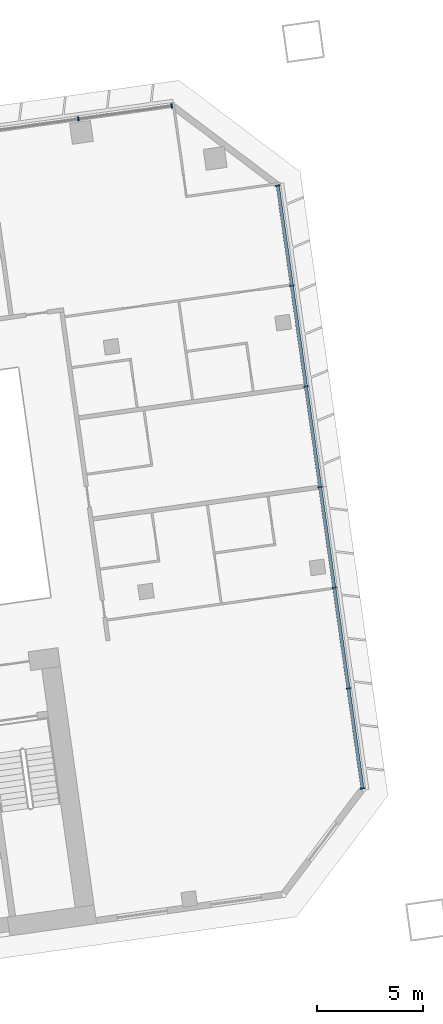
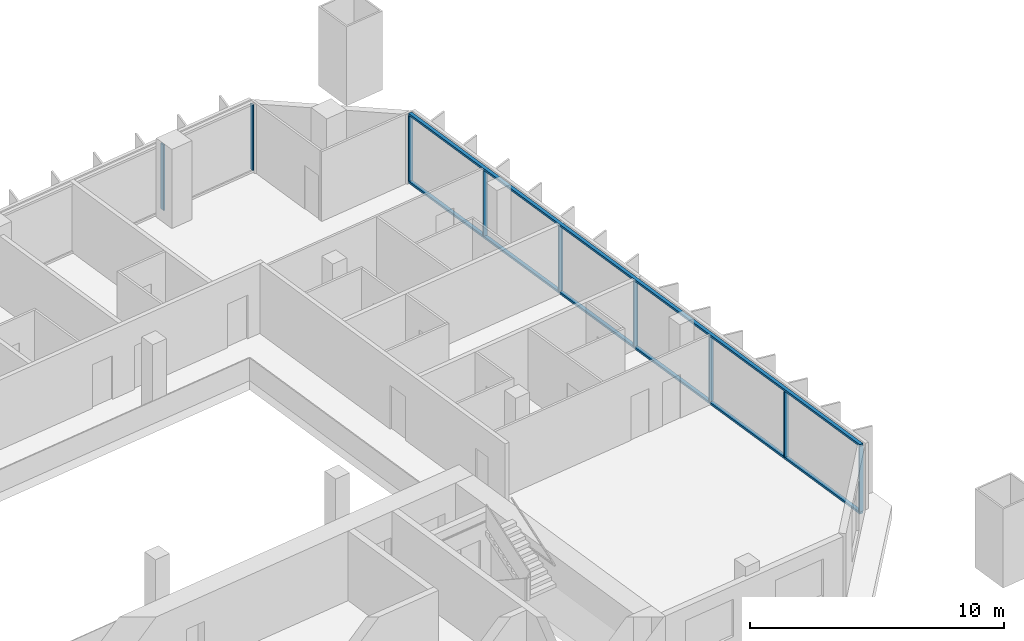
# One storey, part 11 of 25: 11 members, 2 elements without a shape of their own.
"""IFC4 building model written with IfcOpenShell, lengths in metres."""

from ifc_helpers import new_model, si_unit, direction, frame, origin, origin_2d, place, context, subcontext, project, spatial, rectangle, extrude, material, material_profile, profile_set, type_object, element, aggregate, save


model = new_model("IFC4")

# Units and contexts
model_context = context("Model", 3, precision=1e-05, world=origin(), true_north=direction((0.0, 1.0)))
body_context = subcontext(model_context, "Body", "Model", "MODEL_VIEW")
ifc_project = project(units=[si_unit("LENGTHUNIT", "METRE"), si_unit("AREAUNIT", "SQUARE_METRE"), si_unit("VOLUMEUNIT", "CUBIC_METRE"), si_unit("PLANEANGLEUNIT", "RADIAN"), si_unit("MASSUNIT", "GRAM", prefix="KILO")], contexts=[model_context])

# Site, building, storey
site_placement = place(None, origin())
site = spatial("IfcSite", under=ifc_project, at=site_placement, CompositionType="ELEMENT")
building_placement = place(site_placement, origin())
building = spatial("IfcBuilding", under=site, at=building_placement, Name="Mirante Cascada Hotel Towers", CompositionType="ELEMENT")
storey_placement = place(building_placement, frame((0.0, 0.0, 73.7)))
storey = spatial("IfcBuildingStorey", under=building, at=storey_placement, Name="L15", CompositionType="ELEMENT", Elevation=73.7)

# Curtain wall, members
ifc_material_1 = material(Name="Aluminium mullion and transom frame with clear laminated glass", Category="aluminium")
curtain_wall_type_1 = type_object("IfcCurtainWallType", Name="Ribbon curtain wall ECW1", PredefinedType="NOTDEFINED", material=ifc_material_1)
curtain_wall_1_placement = place(storey_placement, origin())
curtain_wall_1 = element("IfcCurtainWall", 1, at=curtain_wall_1_placement, inside=storey, type_object=curtain_wall_type_1, Name="Front ribbon wall T2 L15", PredefinedType="NOTDEFINED")
ifc_material_2 = material(Name="Anodised aluminium extrusion", Category="aluminium")
ifc_material_profile_1 = material_profile(ifc_material_2, rectangle(XDim=0.2, YDim=0.065, at=origin_2d()), Name="ECW1 MULLION 65x200")
ifc_profile_set_1 = profile_set([ifc_material_profile_1], Name="Anodised aluminium extrusion")
member_type_1 = type_object("IfcMemberType", Name="ECW1 mullion 65x200", PredefinedType="MULLION", material=ifc_profile_set_1)
member_1_placement = place(storey_placement, frame((94.126, 26.0476, 0.1), z_axis=(0.0, 0.0, 1.0), x_axis=(0.1391731, -0.9902681, 0.0)))
member_1 = element("IfcMember", 2, at=member_1_placement, type_object=member_type_1, Name="ECW1 mullion 1", PredefinedType="MULLION", context=body_context, shape_type="SweptSolid", body=[
    extrude(rectangle(XDim=0.2, YDim=0.065, at=origin_2d()), origin(), (0.0, 0.0, 1.0), 3.15),
])
member_2_placement = place(storey_placement, frame((89.7107, 25.427, 0.1), z_axis=(0.0, 0.0, 1.0), x_axis=(0.1391731, -0.9902681, 0.0)))
member_2 = element("IfcMember", 3, at=member_2_placement, type_object=member_type_1, Name="ECW1 mullion 2", PredefinedType="MULLION", context=body_context, shape_type="SweptSolid", body=[
    extrude(rectangle(XDim=0.2, YDim=0.065, at=origin_2d()), origin(), (0.0, 0.0, 1.0), 3.15),
])
aggregate(curtain_wall_1, [member_1, member_2])

ifc_material_3 = material(Name="Aluminium mullion and transom frame with clear laminated glass", Category="aluminium")
curtain_wall_type_2 = type_object("IfcCurtainWallType", Name="End ribbon curtain wall ECW2", PredefinedType="NOTDEFINED", material=ifc_material_3)
curtain_wall_2_placement = place(storey_placement, origin())
curtain_wall_2 = element("IfcCurtainWall", 4, at=curtain_wall_2_placement, inside=storey, type_object=curtain_wall_type_2, Name="Outer end wall T2 L15", PredefinedType="NOTDEFINED")
ifc_material_4 = material(Name="Anodised aluminium extrusion", Category="aluminium")
ifc_material_profile_2 = material_profile(ifc_material_4, rectangle(XDim=0.2, YDim=0.065, at=origin_2d()), Name="ECW2 MULLION 65x200")
ifc_profile_set_2 = profile_set([ifc_material_profile_2], Name="Anodised aluminium extrusion")
member_type_2 = type_object("IfcMemberType", Name="ECW2 mullion 65x200", PredefinedType="MULLION", material=ifc_profile_set_2)
member_3_placement = place(storey_placement, frame((103.1556, -6.2656, 0.1), z_axis=(0.0, 0.0, 1.0), x_axis=(-0.9902681, -0.1391731, 0.0)))
member_3 = element("IfcMember", 5, at=member_3_placement, type_object=member_type_2, Name="ECW2 mullion 1", PredefinedType="MULLION", context=body_context, shape_type="SweptSolid", body=[
    extrude(rectangle(XDim=0.2, YDim=0.065, at=origin_2d()), origin(), (0.0, 0.0, 1.0), 3.15),
])
member_4_placement = place(storey_placement, frame((102.4903, -1.532, 0.1), z_axis=(0.0, 0.0, 1.0), x_axis=(-0.9902681, -0.1391731, 0.0)))
member_4 = element("IfcMember", 6, at=member_4_placement, type_object=member_type_2, Name="ECW2 mullion 2", PredefinedType="MULLION", context=body_context, shape_type="SweptSolid", body=[
    extrude(rectangle(XDim=0.2, YDim=0.065, at=origin_2d()), origin(), (0.0, 0.0, 1.0), 3.15),
])
member_5_placement = place(storey_placement, frame((101.8205, 3.2338, 0.1), z_axis=(0.0, 0.0, 1.0), x_axis=(-0.9902681, -0.1391731, 0.0)))
member_5 = element("IfcMember", 7, at=member_5_placement, type_object=member_type_2, Name="ECW2 mullion 3", PredefinedType="MULLION", context=body_context, shape_type="SweptSolid", body=[
    extrude(rectangle(XDim=0.2, YDim=0.065, at=origin_2d()), origin(), (0.0, 0.0, 1.0), 3.15),
])
member_6_placement = place(storey_placement, frame((101.1508, 7.9996, 0.1), z_axis=(0.0, 0.0, 1.0), x_axis=(-0.9902681, -0.1391731, 0.0)))
member_6 = element("IfcMember", 8, at=member_6_placement, type_object=member_type_2, Name="ECW2 mullion 4", PredefinedType="MULLION", context=body_context, shape_type="SweptSolid", body=[
    extrude(rectangle(XDim=0.2, YDim=0.065, at=origin_2d()), origin(), (0.0, 0.0, 1.0), 3.15),
])
member_7_placement = place(storey_placement, frame((100.481, 12.7654, 0.1), z_axis=(0.0, 0.0, 1.0), x_axis=(-0.9902681, -0.1391731, 0.0)))
member_7 = element("IfcMember", 9, at=member_7_placement, type_object=member_type_2, Name="ECW2 mullion 5", PredefinedType="MULLION", context=body_context, shape_type="SweptSolid", body=[
    extrude(rectangle(XDim=0.2, YDim=0.065, at=origin_2d()), origin(), (0.0, 0.0, 1.0), 3.15),
])
member_8_placement = place(storey_placement, frame((99.8112, 17.5312, 0.1), z_axis=(0.0, 0.0, 1.0), x_axis=(-0.9902681, -0.1391731, 0.0)))
member_8 = element("IfcMember", 10, at=member_8_placement, type_object=member_type_2, Name="ECW2 mullion 6", PredefinedType="MULLION", context=body_context, shape_type="SweptSolid", body=[
    extrude(rectangle(XDim=0.2, YDim=0.065, at=origin_2d()), origin(), (0.0, 0.0, 1.0), 3.15),
])
member_9_placement = place(storey_placement, frame((99.1459, 22.2648, 0.1), z_axis=(0.0, 0.0, 1.0), x_axis=(-0.9902681, -0.1391731, 0.0)))
member_9 = element("IfcMember", 11, at=member_9_placement, type_object=member_type_2, Name="ECW2 mullion 7", PredefinedType="MULLION", context=body_context, shape_type="SweptSolid", body=[
    extrude(rectangle(XDim=0.2, YDim=0.065, at=origin_2d()), origin(), (0.0, 0.0, 1.0), 3.15),
])
ifc_material_5 = material(Name="Anodised aluminium extrusion", Category="aluminium")
ifc_material_profile_3 = material_profile(ifc_material_5, rectangle(XDim=0.16, YDim=0.1, at=origin_2d()), Name="ECW2 TRANSOM 100x160")
ifc_profile_set_3 = profile_set([ifc_material_profile_3], Name="Anodised aluminium extrusion")
member_type_3 = type_object("IfcMemberType", Name="ECW2 transom 100x160", PredefinedType="USERDEFINED", material=ifc_profile_set_3)
member_10_placement = place(storey_placement, frame((103.1601, -6.2978, 0.05), z_axis=(-0.1391723, 0.9902682, 0.0), x_axis=(-0.9902682, -0.1391723, 0.0)))
member_10 = element("IfcMember", 12, at=member_10_placement, type_object=member_type_3, Name="ECW2 sill transom", ObjectType="TRANSOM", PredefinedType="USERDEFINED", context=body_context, shape_type="SweptSolid", body=[
    extrude(rectangle(XDim=0.16, YDim=0.1, at=origin_2d()), origin(), (0.0, 0.0, 1.0), 28.8757),
])
member_11_placement = place(storey_placement, frame((103.1601, -6.2978, 3.3), z_axis=(-0.1391723, 0.9902682, 0.0), x_axis=(-0.9902682, -0.1391723, 0.0)))
member_11 = element("IfcMember", 13, at=member_11_placement, type_object=member_type_3, Name="ECW2 head transom", ObjectType="TRANSOM", PredefinedType="USERDEFINED", context=body_context, shape_type="SweptSolid", body=[
    extrude(rectangle(XDim=0.16, YDim=0.1, at=origin_2d()), origin(), (0.0, 0.0, 1.0), 28.8757),
])
aggregate(curtain_wall_2, [member_10, member_11, member_3, member_4, member_5, member_6, member_7, member_8, member_9])

save(model, "model.ifc")
